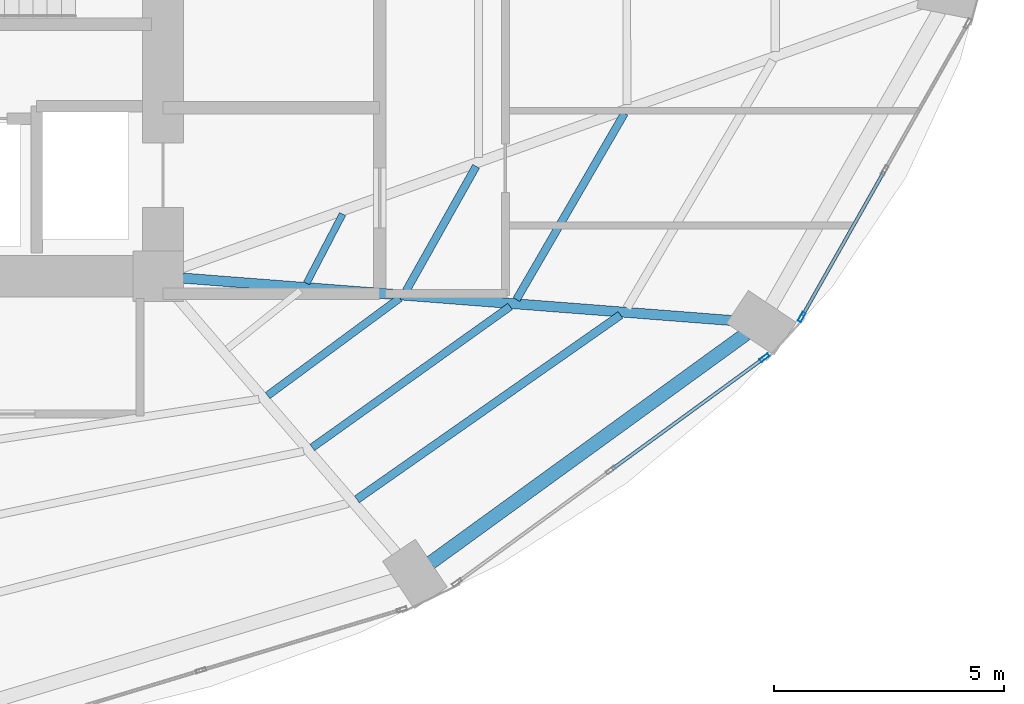
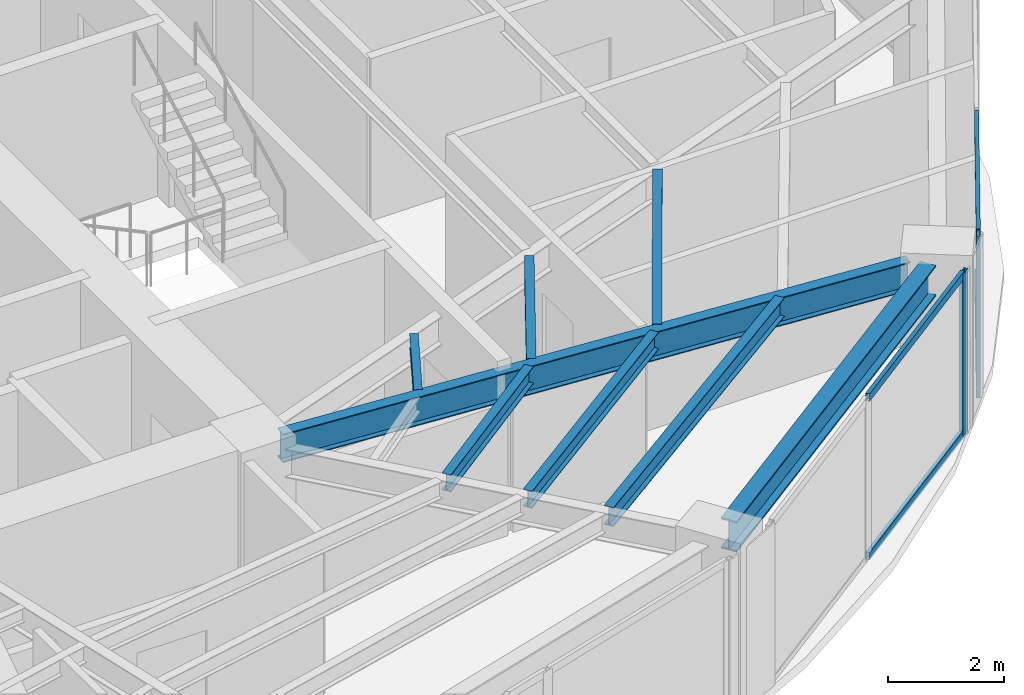
# One storey, part 10 of 24: 8 beams, 6 members, 2 elements without a shape of their own.
"""IFC4 building model written with IfcOpenShell, lengths in metres."""

from ifc_helpers import new_model, si_unit, direction, frame, origin, origin_2d, place, context, subcontext, project, spatial, hollow_rectangle, i_section, extrude, material, layer, layer_set, material_profile, profile_set, type_object, element, aggregate, save


model = new_model("IFC4")

# Units and contexts
model_context = context("Model", 3, precision=1e-05, world=origin(), true_north=direction((0.0, 1.0)))
body_context = subcontext(model_context, "Body", "Model", "MODEL_VIEW")
ifc_project = project(units=[si_unit("LENGTHUNIT", "METRE"), si_unit("AREAUNIT", "SQUARE_METRE"), si_unit("VOLUMEUNIT", "CUBIC_METRE"), si_unit("PLANEANGLEUNIT", "RADIAN"), si_unit("MASSUNIT", "GRAM", prefix="KILO")], contexts=[model_context])

# Site, building, storey
site_placement = place(None, origin())
site = spatial("IfcSite", under=ifc_project, at=site_placement, CompositionType="ELEMENT")
building_placement = place(site_placement, origin())
building = spatial("IfcBuilding", under=site, at=building_placement, Name="Lazwardi Medical Tower", CompositionType="ELEMENT")
storey_placement = place(building_placement, frame((0.0, 0.0, 54.384033203125)))
storey = spatial("IfcBuildingStorey", under=building, at=storey_placement, Name="L13", CompositionType="ELEMENT", Elevation=54.384033203125)

# Beams
ifc_material_1 = material(Name="Steel S355", Category="steel")
ifc_material_profile_1 = material_profile(ifc_material_1, i_section(OverallWidth=0.300048828125, OverallDepth=0.64990234375, WebThickness=0.01611328125, FlangeThickness=0.031005859375, at=origin_2d()), Name="HEB 650")
ifc_profile_set_1 = profile_set([ifc_material_profile_1], Name="Steel S355")
beam_type_1 = type_object("IfcBeamType", Name="BM-RB-Z1", PredefinedType="BEAM", material=ifc_profile_set_1)
beam_1_placement = place(storey_placement, frame((51.52099609375, 14.16259765625, 3.10302734375), z_axis=(0.80939338516, 0.5872668457, 0.0), x_axis=(-0.5872668457, 0.80939338516, 0.0)))
element("IfcBeam", 1, at=beam_1_placement, inside=storey, type_object=beam_type_1, Name="Ring beam RB-02 B02 L13", PredefinedType="BEAM", context=body_context, shape_type="SweptSolid", body=[
    extrude(i_section(OverallWidth=0.300048828125, OverallDepth=0.64990234375, WebThickness=0.01611328125, FlangeThickness=0.031005859375, at=origin_2d()), origin(), (0.0, 0.0, 1.0), 8.47412109375),
])
ifc_material_profile_2 = material_profile(ifc_material_1, i_section(OverallWidth=0.219970703125, OverallDepth=0.60009765625, WebThickness=0.011962890625, FlangeThickness=0.01904296875, at=origin_2d()), Name="IPE 600")
ifc_profile_set_2 = profile_set([ifc_material_profile_2], Name="Steel S355")
beam_type_2 = type_object("IfcBeamType", Name="BM-RG-W1", PredefinedType="BEAM", material=ifc_profile_set_2)
beam_2_placement = place(storey_placement, frame((58.1416015625, 19.430419921875, 3.1279296875), z_axis=(-0.997024241118, 0.077088667283, 0.0), x_axis=(-0.077088667283, -0.997024241118, 0.0)))
element("IfcBeam", 2, at=beam_2_placement, inside=storey, type_object=beam_type_2, Name="Radial girder RG-02 R03 L13", PredefinedType="BEAM", context=body_context, shape_type="SweptSolid", body=[
    extrude(i_section(OverallWidth=0.219970703125, OverallDepth=0.60009765625, WebThickness=0.011962890625, FlangeThickness=0.01904296875, at=origin_2d()), origin(), (0.0, 0.0, 1.0), 12.044189453125),
])
ifc_material_profile_3 = material_profile(ifc_material_1, i_section(OverallWidth=0.179931640625, OverallDepth=0.39990234375, WebThickness=0.008544921875, FlangeThickness=0.013427734375, at=origin_2d()), Name="IPE 400")
ifc_profile_set_3 = profile_set([ifc_material_profile_3], Name="Steel S355")
beam_type_3 = type_object("IfcBeamType", Name="BM-SJ-01", PredefinedType="JOIST", material=ifc_profile_set_3)
beam_3_placement = place(storey_placement, frame((49.91796875, 15.543701171875, 3.22802734375), z_axis=(0.81942522483, 0.573186096231, 0.0), x_axis=(-0.573186096231, 0.81942522483, 0.0)))
element("IfcBeam", 3, at=beam_3_placement, inside=storey, type_object=beam_type_3, Name="Secondary joist SJ-01 R1 B02 L13", PredefinedType="JOIST", context=body_context, shape_type="SweptSolid", body=[
    extrude(i_section(OverallWidth=0.179931640625, OverallDepth=0.39990234375, WebThickness=0.008544921875, FlangeThickness=0.013427734375, at=origin_2d()), origin(), (0.0, 0.0, 1.0), 6.999755859375),
])
ifc_material_profile_4 = material_profile(ifc_material_1, i_section(OverallWidth=0.169921875, OverallDepth=0.360107421875, WebThickness=0.008056640625, FlangeThickness=0.0126953125, at=origin_2d()), Name="IPE 360")
ifc_profile_set_4 = profile_set([ifc_material_profile_4], Name="Steel S355")
beam_type_4 = type_object("IfcBeamType", Name="BM-SJ-02", PredefinedType="JOIST", material=ifc_profile_set_4)
beam_4_placement = place(storey_placement, frame((48.94677734375, 16.672119140625, 3.248046875), z_axis=(0.814341377136, 0.580386183058, 0.0), x_axis=(-0.580386183058, 0.814341377136, 0.0)))
element("IfcBeam", 4, at=beam_4_placement, inside=storey, type_object=beam_type_4, Name="Secondary joist SJ-02 R2 B02 L13", PredefinedType="JOIST", context=body_context, shape_type="SweptSolid", body=[
    extrude(i_section(OverallWidth=0.169921875, OverallDepth=0.360107421875, WebThickness=0.008056640625, FlangeThickness=0.0126953125, at=origin_2d()), origin(), (0.0, 0.0, 1.0), 5.28759765625),
])
beam_5_placement = place(storey_placement, frame((53.39111328125, 19.892578125, 3.248046875), z_axis=(0.501798442848, 0.86498457949, 0.0), x_axis=(-0.86498457949, 0.501798442848, 0.0)))
element("IfcBeam", 5, at=beam_5_placement, inside=storey, type_object=beam_type_4, Name="Secondary joist SJ-02 R2 B03 L13", PredefinedType="JOIST", context=body_context, shape_type="SweptSolid", body=[
    extrude(i_section(OverallWidth=0.169921875, OverallDepth=0.360107421875, WebThickness=0.008056640625, FlangeThickness=0.0126953125, at=origin_2d()), origin(), (0.0, 0.0, 1.0), 4.683349609375),
])
beam_6_placement = place(storey_placement, frame((47.974853515625, 17.80126953125, 3.248046875), z_axis=(0.804580292353, 0.593843879448, 0.0), x_axis=(-0.593843879448, 0.804580292353, 0.0)))
element("IfcBeam", 6, at=beam_6_placement, inside=storey, type_object=beam_type_4, Name="Secondary joist SJ-02 R3 B02 L13", PredefinedType="JOIST", context=body_context, shape_type="SweptSolid", body=[
    extrude(i_section(OverallWidth=0.169921875, OverallDepth=0.360107421875, WebThickness=0.008056640625, FlangeThickness=0.0126953125, at=origin_2d()), origin(), (0.0, 0.0, 1.0), 3.576416015625),
])
beam_7_placement = place(storey_placement, frame((50.988037109375, 20.0791015625, 3.248046875), z_axis=(0.489974339037, 0.87173685656, 0.0), x_axis=(-0.87173685656, 0.489974339037, 0.0)))
element("IfcBeam", 7, at=beam_7_placement, inside=storey, type_object=beam_type_4, Name="Secondary joist SJ-02 R3 B03 L13", PredefinedType="JOIST", context=body_context, shape_type="SweptSolid", body=[
    extrude(i_section(OverallWidth=0.169921875, OverallDepth=0.360107421875, WebThickness=0.008056640625, FlangeThickness=0.0126953125, at=origin_2d()), origin(), (0.0, 0.0, 1.0), 3.111328125),
])
ifc_material_profile_5 = material_profile(ifc_material_1, i_section(OverallWidth=0.14990234375, OverallDepth=0.300048828125, WebThickness=0.007080078125, FlangeThickness=0.0107421875, at=origin_2d()), Name="IPE 300")
ifc_profile_set_5 = profile_set([ifc_material_profile_5], Name="Steel S355")
beam_type_5 = type_object("IfcBeamType", Name="BM-SJ-03", PredefinedType="JOIST", material=ifc_profile_set_5)
beam_8_placement = place(storey_placement, frame((48.82373046875, 20.247802734375, 3.278076171875), z_axis=(0.462162985948, 0.88679500135, 0.0), x_axis=(-0.88679500135, 0.462162985948, 0.0)))
element("IfcBeam", 8, at=beam_8_placement, inside=storey, type_object=beam_type_5, Name="Secondary joist SJ-03 R4 B03 L13", PredefinedType="JOIST", context=body_context, shape_type="SweptSolid", body=[
    extrude(i_section(OverallWidth=0.14990234375, OverallDepth=0.300048828125, WebThickness=0.007080078125, FlangeThickness=0.0107421875, at=origin_2d()), origin(), (0.0, 0.0, 1.0), 1.69775390625),
])

# Curtain wall, member
ifc_material_2 = material(Name="Anodised bronze aluminium and solar control glazing", Category="aluminium")
ifc_layer = layer(ifc_material_2, 0.199951171875)
ifc_layer_set = layer_set([ifc_layer], Name="Anodised bronze aluminium and solar control glazing")
curtain_wall_type = type_object("IfcCurtainWallType", Name="CW-SYS-02", PredefinedType="NOTDEFINED", material=ifc_layer_set)
curtain_wall_1_placement = place(storey_placement, origin())
curtain_wall_1 = element("IfcCurtainWall", 9, at=curtain_wall_1_placement, inside=storey, type_object=curtain_wall_type, Name="L13 Unitised bronze curtain wall CW-02", PredefinedType="NOTDEFINED")
ifc_material_3 = material(Name="Anodised bronze aluminium", Category="aluminium")
ifc_material_profile_6 = material_profile(ifc_material_3, hollow_rectangle(XDim=0.074951171875, YDim=0.219970703125, WallThickness=0.00390625, at=origin_2d()), Name="ALU-MULLION 220x75x4")
ifc_profile_set_6 = profile_set([ifc_material_profile_6], Name="Anodised bronze aluminium")
member_type_1 = type_object("IfcMemberType", Name="CW-MUL-01", PredefinedType="MULLION", material=ifc_profile_set_6)
member_1_placement = place(storey_placement, frame((58.790283203125, 18.62744140625, 0.0), z_axis=(0.0, 0.0, 1.0), x_axis=(-0.590289307341, 0.807191757663, 0.0)))
member_1 = element("IfcMember", 10, at=member_1_placement, type_object=member_type_1, Name="CW-02 mullion 3", PredefinedType="MULLION", context=body_context, shape_type="SweptSolid", body=[
    extrude(hollow_rectangle(XDim=0.074951171875, YDim=0.219970703125, WallThickness=0.00390625, at=origin_2d()), origin(), (0.0, 0.0, 1.0), 3.427978515625),
])

curtain_wall_2_placement = place(storey_placement, origin())
curtain_wall_2 = element("IfcCurtainWall", 11, at=curtain_wall_2_placement, inside=storey, type_object=curtain_wall_type, Name="L13 Unitised bronze curtain wall CW-02", PredefinedType="NOTDEFINED")
member_2_placement = place(storey_placement, frame((59.5966796875, 19.511474609375, 0.0), z_axis=(0.0, 0.0, 1.0), x_axis=(-0.870111838823, 0.492854327303, 0.0)))
member_2 = element("IfcMember", 12, at=member_2_placement, type_object=member_type_1, Name="CW-02 mullion 1", PredefinedType="MULLION", context=body_context, shape_type="SweptSolid", body=[
    extrude(hollow_rectangle(XDim=0.074951171875, YDim=0.219970703125, WallThickness=0.00390625, at=origin_2d()), origin(), (0.0, 0.0, 1.0), 3.427978515625),
])

# Member
ifc_material_profile_7 = material_profile(ifc_material_3, hollow_rectangle(XDim=0.074951171875, YDim=0.159912109375, WallThickness=0.00390625, at=origin_2d()), Name="ALU-TRANSOM 160x75x4")
ifc_profile_set_7 = profile_set([ifc_material_profile_7], Name="Anodised bronze aluminium")
member_type_2 = type_object("IfcMemberType", Name="CW-TRN-01", PredefinedType="USERDEFINED", material=ifc_profile_set_7)
member_3_placement = place(storey_placement, frame((55.474609375, 16.202880859375, 0.037353515625), z_axis=(0.807218536774, 0.590252686472, 0.0), x_axis=(-0.590252686472, 0.807218536774, 0.0)))
member_3 = element("IfcMember", 13, at=member_3_placement, type_object=member_type_2, Name="CW-02 transom 2.1", ObjectType="TRANSOM", PredefinedType="USERDEFINED", context=body_context, shape_type="SweptSolid", body=[
    extrude(hollow_rectangle(XDim=0.074951171875, YDim=0.159912109375, WallThickness=0.00390625, at=origin_2d()), origin(), (0.0, 0.0, 1.0), 4.070068359375),
])

member_4_placement = place(storey_placement, frame((55.474609375, 16.202880859375, 3.390380859375), z_axis=(0.807218536774, 0.590252686472, 0.0), x_axis=(-0.590252686472, 0.807218536774, 0.0)))
member_4 = element("IfcMember", 14, at=member_4_placement, type_object=member_type_2, Name="CW-02 transom 2.2", ObjectType="TRANSOM", PredefinedType="USERDEFINED", context=body_context, shape_type="SweptSolid", body=[
    extrude(hollow_rectangle(XDim=0.074951171875, YDim=0.159912109375, WallThickness=0.00390625, at=origin_2d()), origin(), (0.0, 0.0, 1.0), 4.070068359375),
])

aggregate(curtain_wall_1, [member_1, member_3, member_4])

member_5_placement = place(storey_placement, frame((59.615234375, 19.5439453125, 0.037353515625), z_axis=(0.49285148925, 0.870113446365, 0.0), x_axis=(-0.870113446365, 0.49285148925, 0.0)))
member_5 = element("IfcMember", 15, at=member_5_placement, type_object=member_type_2, Name="CW-02 transom 1.1", ObjectType="TRANSOM", PredefinedType="USERDEFINED", context=body_context, shape_type="SweptSolid", body=[
    extrude(hollow_rectangle(XDim=0.074951171875, YDim=0.159912109375, WallThickness=0.00390625, at=origin_2d()), origin(), (0.0, 0.0, 1.0), 3.594970703125),
])

member_6_placement = place(storey_placement, frame((59.615234375, 19.5439453125, 3.390380859375), z_axis=(0.49285148925, 0.870113446365, 0.0), x_axis=(-0.870113446365, 0.49285148925, 0.0)))
member_6 = element("IfcMember", 16, at=member_6_placement, type_object=member_type_2, Name="CW-02 transom 1.2", ObjectType="TRANSOM", PredefinedType="USERDEFINED", context=body_context, shape_type="SweptSolid", body=[
    extrude(hollow_rectangle(XDim=0.074951171875, YDim=0.159912109375, WallThickness=0.00390625, at=origin_2d()), origin(), (0.0, 0.0, 1.0), 3.594970703125),
])

aggregate(curtain_wall_2, [member_2, member_5, member_6])

save(model, "model.ifc")
